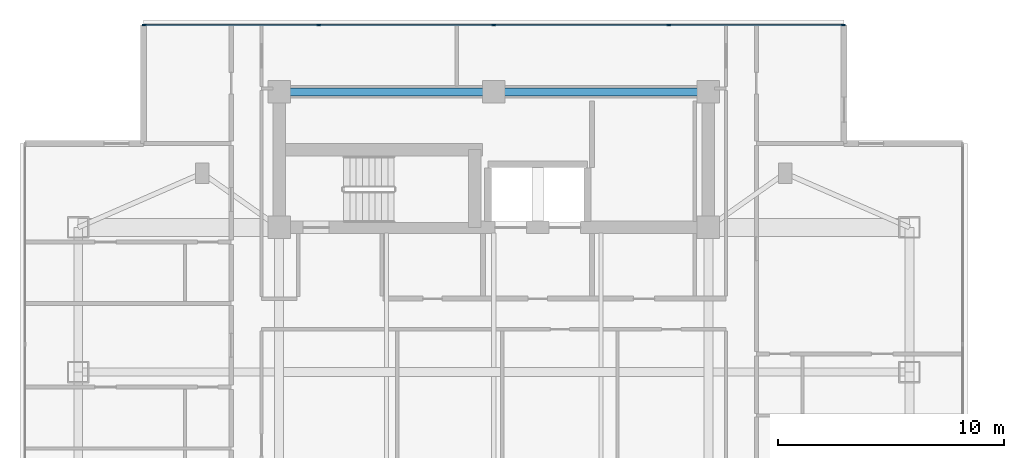
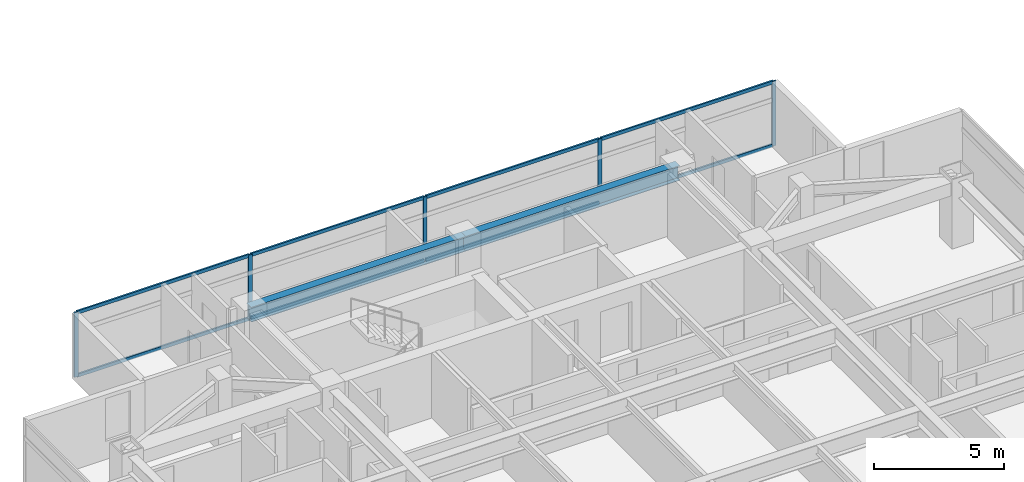
# One storey, part 7 of 24: 13 members, 2 beams, 1 element without a shape of its own.
"""IFC4 building model written with IfcOpenShell, lengths in metres."""

import ifcopenshell
import ifcopenshell.guid

model = None  # the IFC model being written
_history = None  # IfcOwnerHistory: only IFC2X3 demands one
_inside = {}  # id of a spatial element -> (the spatial element, [elements in it])
_under = {}  # id of a project, library or spatial element -> (it, [spatial elements below it])
_declared = {}  # id of a project -> (the project, [libraries it declares])
_typed = {}  # id of a type object -> (the type object, [elements of that type])
_made_of = {}  # id of a material, layer set ... -> (it, [elements and type objects made of it])


def new_model(schema):
    """Start an empty IFC model of exactly this schema.

    Asked for "IFC4X3", IfcOpenShell would pick the latest addendum, in which some entities
    have other attributes; the version numbers below select the first issue.
    IFC2X3 requires an IfcOwnerHistory on every rooted entity: one is made here for all.
    """
    global model, _history
    if schema == "IFC4X3":
        model = ifcopenshell.file(schema_version=(4, 3, 0, 0))
    else:
        model = ifcopenshell.file(schema=schema)
    _inside.clear()
    _under.clear()
    _declared.clear()
    _typed.clear()
    _made_of.clear()
    _history = None
    if model.schema == "IFC2X3":
        org = make("IfcOrganization", Name="unknown")
        user = make(
            "IfcPersonAndOrganization",
            ThePerson=make("IfcPerson", FamilyName="unknown"),
            TheOrganization=org,
        )
        app = make(
            "IfcApplication",
            ApplicationDeveloper=org,
            Version="unknown",
            ApplicationFullName="unknown",
            ApplicationIdentifier="unknown",
        )
        _history = make(
            "IfcOwnerHistory",
            OwningUser=user,
            OwningApplication=app,
            ChangeAction="ADDED",
            CreationDate=0,
        )
    return model


def make(cls, **values):
    """One entity of the class cls with the attributes given. An attribute that is None is left unset."""
    return model.create_entity(
        cls, **{name: value for name, value in values.items() if value is not None}
    )


def rooted(cls, **values):
    """An entity with a GlobalId (a new one), such as an element, a storey or a relation."""
    return make(cls, GlobalId=ifcopenshell.guid.new(), OwnerHistory=_history, **values)


def si_unit(unit_type, name, prefix=None):
    """IfcSIUnit, for example si_unit("LENGTHUNIT", "METRE", prefix="MILLI")."""
    return make("IfcSIUnit", UnitType=unit_type, Prefix=prefix, Name=name)


def assignment(units):
    """IfcUnitAssignment: the units of a project."""
    return None if units is None else make("IfcUnitAssignment", Units=units)


def point(xyz):
    """IfcCartesianPoint."""
    return None if xyz is None else make("IfcCartesianPoint", Coordinates=xyz)


def direction(xyz):
    """IfcDirection."""
    return None if xyz is None else make("IfcDirection", DirectionRatios=xyz)


def frame(location, z_axis=None, x_axis=None):
    """IfcAxis2Placement3D, a coordinate frame: its origin and axes. An axis left out is left unset."""
    return make(
        "IfcAxis2Placement3D",
        Location=point(location),
        Axis=direction(z_axis),
        RefDirection=direction(x_axis),
    )


def frame_2d(location, x_axis=None):
    """IfcAxis2Placement2D, a coordinate frame in the plane: its origin and x axis."""
    return make(
        "IfcAxis2Placement2D", Location=point(location), RefDirection=direction(x_axis)
    )


def origin():
    """The frame at (0, 0, 0) with its axes left unset."""
    return frame((0.0, 0.0, 0.0))


def origin_2d():
    """The frame at (0, 0) in the plane with its x axis left unset."""
    return frame_2d((0.0, 0.0))


def place(relative_to, where):
    """IfcLocalPlacement: puts the frame where relative to a parent placement (None: the world)."""
    return make(
        "IfcLocalPlacement", PlacementRelTo=relative_to, RelativePlacement=where
    )


def context(
    kind, dimensions, precision=None, world=None, true_north=None, identifier=None
):
    """IfcGeometricRepresentationContext, for example the 3D "Model" context."""
    return make(
        "IfcGeometricRepresentationContext",
        ContextIdentifier=identifier,
        ContextType=kind,
        CoordinateSpaceDimension=dimensions,
        Precision=precision,
        WorldCoordinateSystem=world,
        TrueNorth=true_north,
    )


def subcontext(parent, identifier, kind, view, scale=None):
    """IfcGeometricRepresentationSubContext, for example "Body" below "Model"."""
    return make(
        "IfcGeometricRepresentationSubContext",
        ContextIdentifier=identifier,
        ContextType=kind,
        ParentContext=parent,
        TargetScale=scale,
        TargetView=view,
    )


def project(units=None, contexts=None):
    """IfcProject with its units and contexts."""
    return rooted(
        "IfcProject",
        Name="project",
        RepresentationContexts=contexts,
        UnitsInContext=assignment(units),
    )


def spatial(cls, under=None, at=None, **own):
    """A site, building, storey or space (cls), placed at a placement, below another one or the project."""
    s = rooted(cls, ObjectPlacement=at, **own)
    if under is not None:
        _under.setdefault(under.id(), (under, []))[1].append(s)
    return s


def profile(cls, at=None, kind="AREA", **sizes):
    """A parametric profile (cls). Its sizes go by their IFC names, for example OverallWidth=200.0."""
    return make(cls, ProfileType=kind, Position=at, **sizes)


def rectangle(**sizes):
    """IfcRectangleProfileDef."""
    return profile("IfcRectangleProfileDef", **sizes)


def i_section(**sizes):
    """IfcIShapeProfileDef."""
    return profile("IfcIShapeProfileDef", **sizes)


def extrude(swept, where, along, depth):
    """IfcExtrudedAreaSolid: the profile swept, set in the frame where, extruded along a direction by depth."""
    return make(
        "IfcExtrudedAreaSolid",
        SweptArea=swept,
        Position=where,
        ExtrudedDirection=direction(along),
        Depth=depth,
    )


def shape(context_of_items, identifier, shape_type, items):
    """IfcShapeRepresentation: the items that make up one representation, for example the "Body"."""
    return make(
        "IfcShapeRepresentation",
        ContextOfItems=context_of_items,
        RepresentationIdentifier=identifier,
        RepresentationType=shape_type,
        Items=items,
    )


def material(Name=None, Category=None):
    """IfcMaterial."""
    return make("IfcMaterial", Name=Name, Category=Category)


def material_profile(
    of_material, cross_section, Name=None, Category=None, Priority=None
):
    """IfcMaterialProfile: a cross section and its material."""
    return make(
        "IfcMaterialProfile",
        Name=Name,
        Material=of_material,
        Profile=cross_section,
        Priority=Priority,
        Category=Category,
    )


def profile_set(profiles, Name=None, composite=None):
    """IfcMaterialProfileSet."""
    return make(
        "IfcMaterialProfileSet",
        Name=Name,
        MaterialProfiles=profiles,
        CompositeProfile=composite,
    )


def made_of(thing, what):
    """Note that an element or type object is made of a material, layer set ...; save() writes the relation."""
    if what is not None:
        _made_of.setdefault(what.id(), (what, []))[1].append(thing)
    return thing


def type_object(cls, material=None, **own):
    """A type object (cls), such as IfcWallType, which elements share."""
    return made_of(rooted(cls, **own), material)


def element(
    cls,
    number,
    at=None,
    inside=None,
    cuts=None,
    type_object=None,
    material=None,
    context=None,
    identifier="Body",
    shape_type=None,
    held_by="IfcProductDefinitionShape",
    body=None,
    shapes=None,
    **own,
):
    """One element of the class cls, such as IfcWall. Its Tag is "e" and its number.

    at: its placement. inside: the storey or other place that contains it. cuts: it is an
    opening in that element (IfcRelVoidsElement). A single representation is given by context,
    identifier, shape_type and body (its items); several are given by shapes. held_by: the class
    of the entity that holds the representations. save() writes the other relations.
    """
    e = rooted(cls, Tag="e%d" % number, ObjectPlacement=at, **own)
    if body is not None:
        shapes = [shape(context, identifier, shape_type, body)]
    if shapes is not None:
        e.Representation = make(held_by, Representations=shapes)
    if inside is not None:
        _inside.setdefault(inside.id(), (inside, []))[1].append(e)
    if cuts is not None:
        rooted(
            "IfcRelVoidsElement", RelatingBuildingElement=cuts, RelatedOpeningElement=e
        )
    if type_object is not None:
        _typed.setdefault(type_object.id(), (type_object, []))[1].append(e)
    return made_of(e, material)


def aggregate(whole, parts):
    """IfcRelAggregates: a whole, such as a stair, and the parts it consists of."""
    return rooted("IfcRelAggregates", RelatingObject=whole, RelatedObjects=parts)


def save(model, path):
    """Write the relations noted so far, then the file.

    IfcRelAggregates (storeys below a building ...), IfcRelContainedInSpatialStructure (elements
    in a storey), IfcRelDefinesByType, IfcRelAssociatesMaterial and IfcRelDeclares: one each for
    every whole, place, type object, material and project.
    """
    for whole, parts in _under.values():
        aggregate(whole, parts)
    for where, things in _inside.values():
        rooted(
            "IfcRelContainedInSpatialStructure",
            RelatedElements=things,
            RelatingStructure=where,
        )
    for kind, things in _typed.values():
        rooted("IfcRelDefinesByType", RelatedObjects=things, RelatingType=kind)
    for what, things in _made_of.values():
        rooted("IfcRelAssociatesMaterial", RelatedObjects=things, RelatingMaterial=what)
    for by, libraries in _declared.values():
        rooted("IfcRelDeclares", RelatingContext=by, RelatedDefinitions=libraries)
    model.write(path)


model = new_model("IFC4")

# Units and contexts
model_context = context("Model", 3, precision=1e-05, world=origin(), true_north=direction((0.0, 1.0)))
body_context = subcontext(model_context, "Body", "Model", "MODEL_VIEW")
ifc_project = project(units=[si_unit("LENGTHUNIT", "METRE"), si_unit("AREAUNIT", "SQUARE_METRE"), si_unit("VOLUMEUNIT", "CUBIC_METRE"), si_unit("PLANEANGLEUNIT", "RADIAN"), si_unit("MASSUNIT", "GRAM", prefix="KILO")], contexts=[model_context])

# Site, building, storey
site_placement = place(None, origin())
site = spatial("IfcSite", under=ifc_project, at=site_placement, CompositionType="ELEMENT")
building_placement = place(site_placement, origin())
building = spatial("IfcBuilding", under=site, at=building_placement, Name="Mirazonda Arch Towers", CompositionType="ELEMENT")
storey_placement = place(building_placement, frame((0.0, 0.0, 167.39990234375)))
storey = spatial("IfcBuildingStorey", under=building, at=storey_placement, Name="L47", CompositionType="ELEMENT", Elevation=167.39990234375)

# Beams
ifc_material_1 = material(Name="Steel ASTM A992 Grade 50", Category="steel")
ifc_material_profile_1 = material_profile(ifc_material_1, i_section(OverallWidth=0.35498046875, OverallDepth=0.696044921875, WebThickness=0.015380859375, FlangeThickness=0.02490234375, at=origin_2d()), Name="W27X146")
ifc_profile_set_1 = profile_set([ifc_material_profile_1], Name="Steel ASTM A992 Grade 50")
beam_type = type_object("IfcBeamType", Name="BM-INT-W27X146", PredefinedType="BEAM", material=ifc_profile_set_1)
for number, where, z_axis, x_axis, name in (
    (1, (11.0, 43.60009765625, 2.7021484375), (1.0, 0.0, 0.0), (0.0, 1.0, 0.0), "L47 Floor Beam BM-T1-L47-CN1"),
    (2, (20.5, 43.60009765625, 2.7021484375), (1.0, 0.0, 0.0), (0.0, 1.0, 0.0), "L47 Floor Beam BM-T1-L47-CN2"),
):
    element("IfcBeam", number, at=place(storey_placement, frame(where, z_axis=z_axis, x_axis=x_axis)), inside=storey, type_object=beam_type, Name=name, PredefinedType="BEAM", context=body_context, shape_type="SweptSolid", body=[
        extrude(i_section(OverallWidth=0.35498046875, OverallDepth=0.696044921875, WebThickness=0.015380859375, FlangeThickness=0.02490234375, at=origin_2d()), origin(), (0.0, 0.0, 1.0), 9.5),
    ])

# Curtain wall, members
ifc_material_2 = material(Name="Anodised Aluminium and Low-E Glass", Category="aluminium")
curtain_wall_type = type_object("IfcCurtainWallType", Name="CW-RES-UNIT", PredefinedType="NOTDEFINED", material=ifc_material_2)
curtain_wall_placement = place(storey_placement, origin())
curtain_wall = element("IfcCurtainWall", 3, at=curtain_wall_placement, inside=storey, type_object=curtain_wall_type, Name="L47 T1 N Facade CW-L47-T1-N", PredefinedType="NOTDEFINED")
ifc_material_3 = material(Name="Anodised Aluminium Alloy", Category="aluminium")
ifc_material_profile_2 = material_profile(ifc_material_3, rectangle(XDim=0.074951171875, YDim=0.175048828125, at=origin_2d()), Name="ALU-MULL-75x175")
ifc_profile_set_2 = profile_set([ifc_material_profile_2], Name="Anodised Aluminium Alloy")
member_type_1 = type_object("IfcMemberType", Name="MULL-CW-RES-UNIT", PredefinedType="MULLION", material=ifc_profile_set_2)
member_1_placement = place(storey_placement, frame((5.032470703125, 46.56201171875, 0.0), z_axis=(0.0, 0.0, 1.0), x_axis=(0.0, 1.0, 0.0)))
member_1 = element("IfcMember", 4, at=member_1_placement, type_object=member_type_1, Name="CW-104 mullion 1", PredefinedType="MULLION", context=body_context, shape_type="SweptSolid", body=[
    extrude(rectangle(XDim=0.074951171875, YDim=0.175048828125, at=origin_2d()), origin(), (0.0, 0.0, 1.0), 3.030029296875),
])
member_2_placement = place(storey_placement, frame((12.74755859375, 46.56201171875, 0.0), z_axis=(0.0, 0.0, 1.0), x_axis=(0.0, 1.0, 0.0)))
member_2 = element("IfcMember", 5, at=member_2_placement, type_object=member_type_1, Name="CW-104 mullion 2", PredefinedType="MULLION", context=body_context, shape_type="SweptSolid", body=[
    extrude(rectangle(XDim=0.074951171875, YDim=0.175048828125, at=origin_2d()), origin(), (0.0, 0.0, 1.0), 3.030029296875),
])
member_3_placement = place(storey_placement, frame((20.5, 46.56201171875, 0.0), z_axis=(0.0, 0.0, 1.0), x_axis=(0.0, 1.0, 0.0)))
member_3 = element("IfcMember", 6, at=member_3_placement, type_object=member_type_1, Name="CW-104 mullion 3", PredefinedType="MULLION", context=body_context, shape_type="SweptSolid", body=[
    extrude(rectangle(XDim=0.074951171875, YDim=0.175048828125, at=origin_2d()), origin(), (0.0, 0.0, 1.0), 3.030029296875),
])
member_4_placement = place(storey_placement, frame((28.25244140625, 46.56201171875, 0.0), z_axis=(0.0, 0.0, 1.0), x_axis=(0.0, 1.0, 0.0)))
member_4 = element("IfcMember", 7, at=member_4_placement, type_object=member_type_1, Name="CW-104 mullion 4", PredefinedType="MULLION", context=body_context, shape_type="SweptSolid", body=[
    extrude(rectangle(XDim=0.074951171875, YDim=0.175048828125, at=origin_2d()), origin(), (0.0, 0.0, 1.0), 3.030029296875),
])
member_5_placement = place(storey_placement, frame((35.967529296875, 46.56201171875, 0.0), z_axis=(0.0, 0.0, 1.0), x_axis=(0.0, 1.0, 0.0)))
member_5 = element("IfcMember", 8, at=member_5_placement, type_object=member_type_1, Name="CW-104 mullion 5", PredefinedType="MULLION", context=body_context, shape_type="SweptSolid", body=[
    extrude(rectangle(XDim=0.074951171875, YDim=0.175048828125, at=origin_2d()), origin(), (0.0, 0.0, 1.0), 3.030029296875),
])
ifc_material_profile_3 = material_profile(ifc_material_3, rectangle(XDim=0.074951171875, YDim=0.155029296875, at=origin_2d()), Name="ALU-TRAN-75x155")
ifc_profile_set_3 = profile_set([ifc_material_profile_3], Name="Anodised Aluminium Alloy")
member_type_2 = type_object("IfcMemberType", Name="TRAN-CW-RES-UNIT", PredefinedType="USERDEFINED", material=ifc_profile_set_3)
member_6_placement = place(storey_placement, frame((5.070068359375, 46.56201171875, 0.03759765625), z_axis=(1.0, 0.0, 0.0), x_axis=(0.0, 1.0, 0.0)))
member_6 = element("IfcMember", 9, at=member_6_placement, type_object=member_type_2, Name="CW-104 transom 1.1", ObjectType="TRANSOM", PredefinedType="USERDEFINED", context=body_context, shape_type="SweptSolid", body=[
    extrude(rectangle(XDim=0.074951171875, YDim=0.155029296875, at=origin_2d()), origin(), (0.0, 0.0, 1.0), 7.639892578125),
])
member_7_placement = place(storey_placement, frame((5.070068359375, 46.56201171875, 2.99267578125), z_axis=(1.0, 0.0, 0.0), x_axis=(0.0, 1.0, 0.0)))
member_7 = element("IfcMember", 10, at=member_7_placement, type_object=member_type_2, Name="CW-104 transom 1.2", ObjectType="TRANSOM", PredefinedType="USERDEFINED", context=body_context, shape_type="SweptSolid", body=[
    extrude(rectangle(XDim=0.074951171875, YDim=0.155029296875, at=origin_2d()), origin(), (0.0, 0.0, 1.0), 7.639892578125),
])
member_8_placement = place(storey_placement, frame((12.784912109375, 46.56201171875, 0.03759765625), z_axis=(1.0, 0.0, 0.0), x_axis=(0.0, 1.0, 0.0)))
member_8 = element("IfcMember", 11, at=member_8_placement, type_object=member_type_2, Name="CW-104 transom 2.1", ObjectType="TRANSOM", PredefinedType="USERDEFINED", context=body_context, shape_type="SweptSolid", body=[
    extrude(rectangle(XDim=0.074951171875, YDim=0.155029296875, at=origin_2d()), origin(), (0.0, 0.0, 1.0), 7.677490234375),
])
member_9_placement = place(storey_placement, frame((12.784912109375, 46.56201171875, 2.99267578125), z_axis=(1.0, 0.0, 0.0), x_axis=(0.0, 1.0, 0.0)))
member_9 = element("IfcMember", 12, at=member_9_placement, type_object=member_type_2, Name="CW-104 transom 2.2", ObjectType="TRANSOM", PredefinedType="USERDEFINED", context=body_context, shape_type="SweptSolid", body=[
    extrude(rectangle(XDim=0.074951171875, YDim=0.155029296875, at=origin_2d()), origin(), (0.0, 0.0, 1.0), 7.677490234375),
])
member_10_placement = place(storey_placement, frame((20.53759765625, 46.56201171875, 0.03759765625), z_axis=(1.0, 0.0, 0.0), x_axis=(0.0, 1.0, 0.0)))
member_10 = element("IfcMember", 13, at=member_10_placement, type_object=member_type_2, Name="CW-104 transom 3.1", ObjectType="TRANSOM", PredefinedType="USERDEFINED", context=body_context, shape_type="SweptSolid", body=[
    extrude(rectangle(XDim=0.074951171875, YDim=0.155029296875, at=origin_2d()), origin(), (0.0, 0.0, 1.0), 7.677490234375),
])
member_11_placement = place(storey_placement, frame((20.53759765625, 46.56201171875, 2.99267578125), z_axis=(1.0, 0.0, 0.0), x_axis=(0.0, 1.0, 0.0)))
member_11 = element("IfcMember", 14, at=member_11_placement, type_object=member_type_2, Name="CW-104 transom 3.2", ObjectType="TRANSOM", PredefinedType="USERDEFINED", context=body_context, shape_type="SweptSolid", body=[
    extrude(rectangle(XDim=0.074951171875, YDim=0.155029296875, at=origin_2d()), origin(), (0.0, 0.0, 1.0), 7.677490234375),
])
member_12_placement = place(storey_placement, frame((28.2900390625, 46.56201171875, 0.03759765625), z_axis=(1.0, 0.0, 0.0), x_axis=(0.0, 1.0, 0.0)))
member_12 = element("IfcMember", 15, at=member_12_placement, type_object=member_type_2, Name="CW-104 transom 4.1", ObjectType="TRANSOM", PredefinedType="USERDEFINED", context=body_context, shape_type="SweptSolid", body=[
    extrude(rectangle(XDim=0.074951171875, YDim=0.155029296875, at=origin_2d()), origin(), (0.0, 0.0, 1.0), 7.639892578125),
])
member_13_placement = place(storey_placement, frame((28.2900390625, 46.56201171875, 2.99267578125), z_axis=(1.0, 0.0, 0.0), x_axis=(0.0, 1.0, 0.0)))
member_13 = element("IfcMember", 16, at=member_13_placement, type_object=member_type_2, Name="CW-104 transom 4.2", ObjectType="TRANSOM", PredefinedType="USERDEFINED", context=body_context, shape_type="SweptSolid", body=[
    extrude(rectangle(XDim=0.074951171875, YDim=0.155029296875, at=origin_2d()), origin(), (0.0, 0.0, 1.0), 7.639892578125),
])
aggregate(curtain_wall, [member_1, member_2, member_3, member_4, member_5, member_6, member_7, member_8, member_9, member_10, member_11, member_12, member_13])

save(model, "model.ifc")
